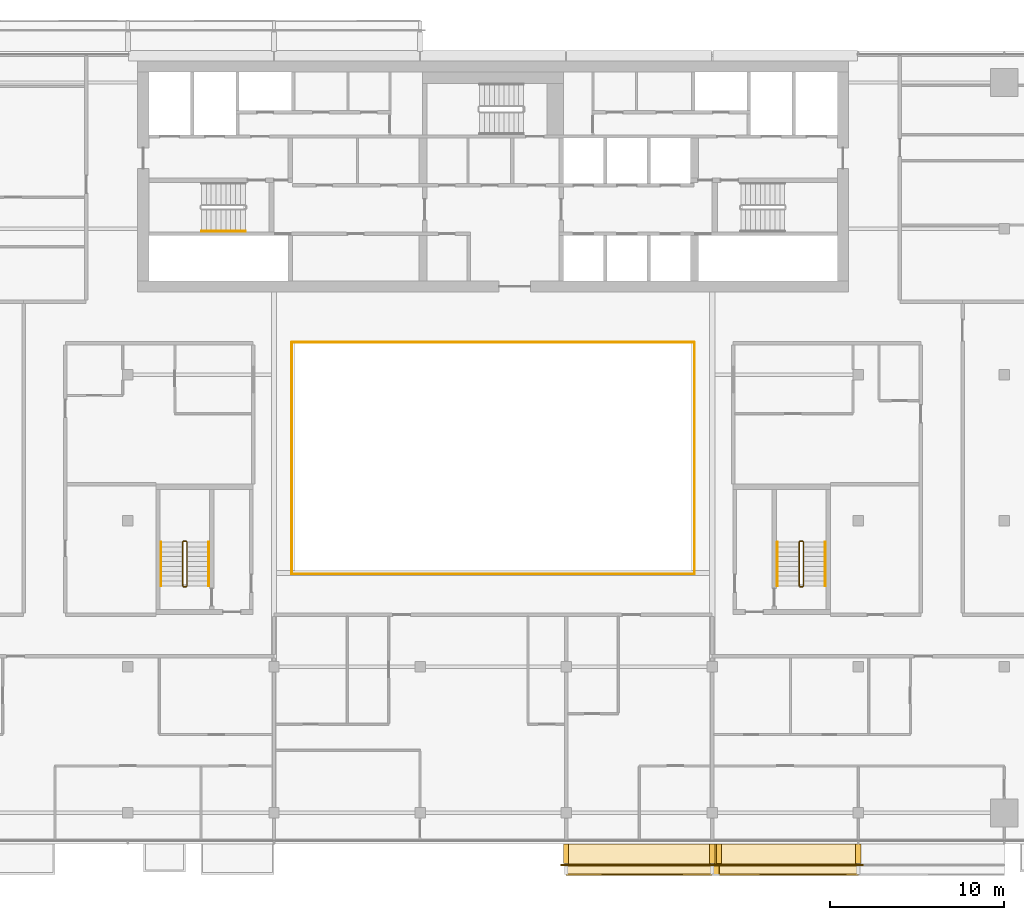
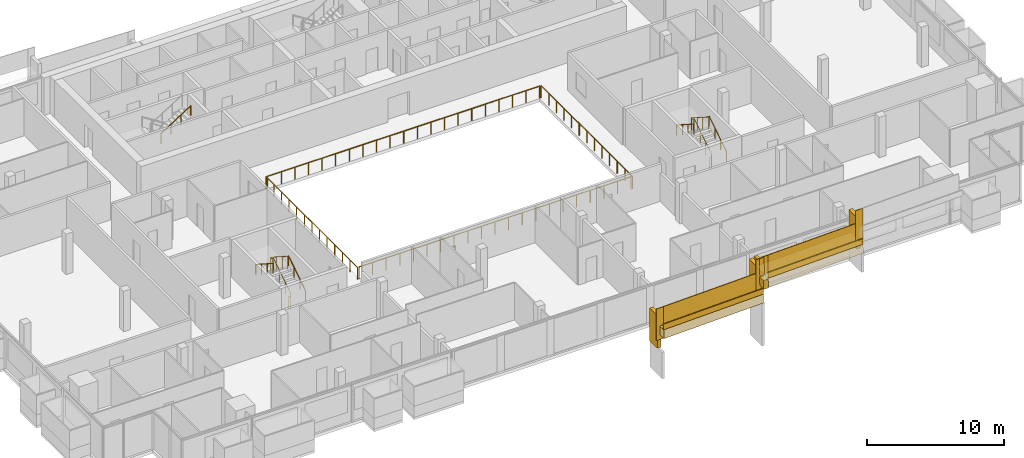
# One storey, part 25 of 27: 18 railings, 9 coverings.
"""IFC4 building model written with IfcOpenShell, lengths in metres."""

from ifc_helpers import new_model, si_unit, direction, frame, origin, origin_2d, place, context, subcontext, project, spatial, polyline, rectangle, circle, outline, extrude, material, layer, layer_set, type_object, element, save


model = new_model("IFC4")

# Units and contexts
model_context = context("Model", 3, precision=1e-05, world=origin(), true_north=direction((0.0, 1.0)))
body_context = subcontext(model_context, "Body", "Model", "MODEL_VIEW")
ifc_project = project(units=[si_unit("LENGTHUNIT", "METRE"), si_unit("AREAUNIT", "SQUARE_METRE"), si_unit("VOLUMEUNIT", "CUBIC_METRE"), si_unit("PLANEANGLEUNIT", "RADIAN"), si_unit("MASSUNIT", "GRAM", prefix="KILO")], contexts=[model_context])

# Site, building, storey
site_placement = place(None, origin())
site = spatial("IfcSite", under=ifc_project, at=site_placement, CompositionType="ELEMENT")
building_placement = place(site_placement, origin())
building = spatial("IfcBuilding", under=site, at=building_placement, Name="Saffron Gate Tower", CompositionType="ELEMENT")
storey_placement = place(building_placement, frame((0.0, 0.0, 212.699951171875)))
storey = spatial("IfcBuildingStorey", under=building, at=storey_placement, Name="L51", CompositionType="ELEMENT", Elevation=212.699951171875)

# Railings
ifc_material_1 = material(Name="Stainless steel and laminated glass", Category="steel")
railing_type_1 = type_object("IfcRailingType", Name="AG1 Atrium edge guard 1100", PredefinedType="GUARDRAIL", material=ifc_material_1)
railing_1_placement = place(storey_placement, frame((76.02001953125, 45.5400390625, 0.0)))
element("IfcRailing", 1, at=railing_1_placement, inside=storey, type_object=railing_type_1, Name="Guard D1-1", PredefinedType="GUARDRAIL", context=body_context, shape_type="SweptSolid", body=[
    extrude(circle(Radius=0.02392578125, at=origin_2d()), frame((0.0, 0.0, 1.076171875), z_axis=(0.0, 1.0, 0.0), x_axis=(-1.0, 0.0, 0.0)), (0.0, 0.0, 1.0), 13.320068359375),
    extrude(circle(Radius=0.02099609375, at=origin_2d()), origin(), (0.0, 0.0, 1.0), 1.052001953125),
    extrude(circle(Radius=0.02099609375, at=origin_2d()), frame((0.0, 1.110107421875, 0.0)), (0.0, 0.0, 1.0), 1.052001953125),
    extrude(circle(Radius=0.02099609375, at=origin_2d()), frame((0.0, 2.219970703125, 0.0)), (0.0, 0.0, 1.0), 1.052001953125),
    extrude(circle(Radius=0.02099609375, at=origin_2d()), frame((0.0, 3.330078125, 0.0)), (0.0, 0.0, 1.0), 1.052001953125),
    extrude(circle(Radius=0.02099609375, at=origin_2d()), frame((0.0, 4.43994140625, 0.0)), (0.0, 0.0, 1.0), 1.052001953125),
    extrude(circle(Radius=0.02099609375, at=origin_2d()), frame((0.0, 5.550048828125, 0.0)), (0.0, 0.0, 1.0), 1.052001953125),
    extrude(circle(Radius=0.02099609375, at=origin_2d()), frame((0.0, 6.66015625, 0.0)), (0.0, 0.0, 1.0), 1.052001953125),
    extrude(circle(Radius=0.02099609375, at=origin_2d()), frame((0.0, 7.77001953125, 0.0)), (0.0, 0.0, 1.0), 1.052001953125),
    extrude(circle(Radius=0.02099609375, at=origin_2d()), frame((0.0, 8.880126953125, 0.0)), (0.0, 0.0, 1.0), 1.052001953125),
    extrude(circle(Radius=0.02099609375, at=origin_2d()), frame((0.0, 9.989990234375, 0.0)), (0.0, 0.0, 1.0), 1.052001953125),
    extrude(circle(Radius=0.02099609375, at=origin_2d()), frame((0.0, 11.10009765625, 0.0)), (0.0, 0.0, 1.0), 1.052001953125),
    extrude(circle(Radius=0.02099609375, at=origin_2d()), frame((0.0, 12.2099609375, 0.0)), (0.0, 0.0, 1.0), 1.052001953125),
    extrude(circle(Radius=0.02099609375, at=origin_2d()), frame((0.0, 13.320068359375, 0.0)), (0.0, 0.0, 1.0), 1.052001953125),
])
railing_2_placement = place(storey_placement, frame((76.139892578125, 58.860107421875, 0.0)))
element("IfcRailing", 2, at=railing_2_placement, inside=storey, type_object=railing_type_1, Name="Guard D1-2", PredefinedType="GUARDRAIL", context=body_context, shape_type="SweptSolid", body=[
    extrude(circle(Radius=0.02392578125, at=origin_2d()), frame((0.0, 0.0, 1.076171875), z_axis=(1.0, 0.0, 0.0), x_axis=(0.0, 1.0, 0.0)), (0.0, 0.0, 1.0), 22.920166015625),
    extrude(circle(Radius=0.02099609375, at=origin_2d()), origin(), (0.0, 0.0, 1.0), 1.052001953125),
    extrude(circle(Radius=0.02099609375, at=origin_2d()), frame((1.14599609375, 0.0, 0.0)), (0.0, 0.0, 1.0), 1.052001953125),
    extrude(circle(Radius=0.02099609375, at=origin_2d()), frame((2.2919921875, 0.0, 0.0)), (0.0, 0.0, 1.0), 1.052001953125),
    extrude(circle(Radius=0.02099609375, at=origin_2d()), frame((3.43798828125, 0.0, 0.0)), (0.0, 0.0, 1.0), 1.052001953125),
    extrude(circle(Radius=0.02099609375, at=origin_2d()), frame((4.583984375, 0.0, 0.0)), (0.0, 0.0, 1.0), 1.052001953125),
    extrude(circle(Radius=0.02099609375, at=origin_2d()), frame((5.72998046875, 0.0, 0.0)), (0.0, 0.0, 1.0), 1.052001953125),
    extrude(circle(Radius=0.02099609375, at=origin_2d()), frame((6.8759765625, 0.0, 0.0)), (0.0, 0.0, 1.0), 1.052001953125),
    extrude(circle(Radius=0.02099609375, at=origin_2d()), frame((8.02197265625, 0.0, 0.0)), (0.0, 0.0, 1.0), 1.052001953125),
    extrude(circle(Radius=0.02099609375, at=origin_2d()), frame((9.16796875, 0.0, 0.0)), (0.0, 0.0, 1.0), 1.052001953125),
    extrude(circle(Radius=0.02099609375, at=origin_2d()), frame((10.31396484375, 0.0, 0.0)), (0.0, 0.0, 1.0), 1.052001953125),
    extrude(circle(Radius=0.02099609375, at=origin_2d()), frame((11.4599609375, 0.0, 0.0)), (0.0, 0.0, 1.0), 1.052001953125),
    extrude(circle(Radius=0.02099609375, at=origin_2d()), frame((12.606201171875, 0.0, 0.0)), (0.0, 0.0, 1.0), 1.052001953125),
    extrude(circle(Radius=0.02099609375, at=origin_2d()), frame((13.752197265625, 0.0, 0.0)), (0.0, 0.0, 1.0), 1.052001953125),
    extrude(circle(Radius=0.02099609375, at=origin_2d()), frame((14.898193359375, 0.0, 0.0)), (0.0, 0.0, 1.0), 1.052001953125),
    extrude(circle(Radius=0.02099609375, at=origin_2d()), frame((16.044189453125, 0.0, 0.0)), (0.0, 0.0, 1.0), 1.052001953125),
    extrude(circle(Radius=0.02099609375, at=origin_2d()), frame((17.190185546875, 0.0, 0.0)), (0.0, 0.0, 1.0), 1.052001953125),
    extrude(circle(Radius=0.02099609375, at=origin_2d()), frame((18.336181640625, 0.0, 0.0)), (0.0, 0.0, 1.0), 1.052001953125),
    extrude(circle(Radius=0.02099609375, at=origin_2d()), frame((19.482177734375, 0.0, 0.0)), (0.0, 0.0, 1.0), 1.052001953125),
    extrude(circle(Radius=0.02099609375, at=origin_2d()), frame((20.628173828125, 0.0, 0.0)), (0.0, 0.0, 1.0), 1.052001953125),
    extrude(circle(Radius=0.02099609375, at=origin_2d()), frame((21.774169921875, 0.0, 0.0)), (0.0, 0.0, 1.0), 1.052001953125),
    extrude(circle(Radius=0.02099609375, at=origin_2d()), frame((22.920166015625, 0.0, 0.0)), (0.0, 0.0, 1.0), 1.052001953125),
])
railing_3_placement = place(storey_placement, frame((99.179931640625, 58.860107421875, 0.0)))
element("IfcRailing", 3, at=railing_3_placement, inside=storey, type_object=railing_type_1, Name="Guard D1-3", PredefinedType="GUARDRAIL", context=body_context, shape_type="SweptSolid", body=[
    extrude(circle(Radius=0.02392578125, at=origin_2d()), frame((0.0, 0.0, 1.076171875), z_axis=(0.0, -1.0, 0.0), x_axis=(1.0, 0.0, 0.0)), (0.0, 0.0, 1.0), 13.320068359375),
    extrude(circle(Radius=0.02099609375, at=origin_2d()), origin(), (0.0, 0.0, 1.0), 1.052001953125),
    extrude(circle(Radius=0.02099609375, at=origin_2d()), frame((0.0, -1.110107421875, 0.0)), (0.0, 0.0, 1.0), 1.052001953125),
    extrude(circle(Radius=0.02099609375, at=origin_2d()), frame((0.0, -2.219970703125, 0.0)), (0.0, 0.0, 1.0), 1.052001953125),
    extrude(circle(Radius=0.02099609375, at=origin_2d()), frame((0.0, -3.330078125, 0.0)), (0.0, 0.0, 1.0), 1.052001953125),
    extrude(circle(Radius=0.02099609375, at=origin_2d()), frame((0.0, -4.43994140625, 0.0)), (0.0, 0.0, 1.0), 1.052001953125),
    extrude(circle(Radius=0.02099609375, at=origin_2d()), frame((0.0, -5.550048828125, 0.0)), (0.0, 0.0, 1.0), 1.052001953125),
    extrude(circle(Radius=0.02099609375, at=origin_2d()), frame((0.0, -6.66015625, 0.0)), (0.0, 0.0, 1.0), 1.052001953125),
    extrude(circle(Radius=0.02099609375, at=origin_2d()), frame((0.0, -7.77001953125, 0.0)), (0.0, 0.0, 1.0), 1.052001953125),
    extrude(circle(Radius=0.02099609375, at=origin_2d()), frame((0.0, -8.880126953125, 0.0)), (0.0, 0.0, 1.0), 1.052001953125),
    extrude(circle(Radius=0.02099609375, at=origin_2d()), frame((0.0, -9.989990234375, 0.0)), (0.0, 0.0, 1.0), 1.052001953125),
    extrude(circle(Radius=0.02099609375, at=origin_2d()), frame((0.0, -11.10009765625, 0.0)), (0.0, 0.0, 1.0), 1.052001953125),
    extrude(circle(Radius=0.02099609375, at=origin_2d()), frame((0.0, -12.2099609375, 0.0)), (0.0, 0.0, 1.0), 1.052001953125),
    extrude(circle(Radius=0.02099609375, at=origin_2d()), frame((0.0, -13.320068359375, 0.0)), (0.0, 0.0, 1.0), 1.052001953125),
])
railing_4_placement = place(storey_placement, frame((99.06005859375, 45.5400390625, 0.0)))
element("IfcRailing", 4, at=railing_4_placement, inside=storey, type_object=railing_type_1, Name="Guard D1-4", PredefinedType="GUARDRAIL", context=body_context, shape_type="SweptSolid", body=[
    extrude(circle(Radius=0.02392578125, at=origin_2d()), frame((0.0, 0.0, 1.076171875), z_axis=(-1.0, 0.0, 0.0), x_axis=(0.0, -1.0, 0.0)), (0.0, 0.0, 1.0), 22.920166015625),
    extrude(circle(Radius=0.02099609375, at=origin_2d()), origin(), (0.0, 0.0, 1.0), 1.052001953125),
    extrude(circle(Radius=0.02099609375, at=origin_2d()), frame((-1.14599609375, 0.0, 0.0)), (0.0, 0.0, 1.0), 1.052001953125),
    extrude(circle(Radius=0.02099609375, at=origin_2d()), frame((-2.2919921875, 0.0, 0.0)), (0.0, 0.0, 1.0), 1.052001953125),
    extrude(circle(Radius=0.02099609375, at=origin_2d()), frame((-3.43798828125, 0.0, 0.0)), (0.0, 0.0, 1.0), 1.052001953125),
    extrude(circle(Radius=0.02099609375, at=origin_2d()), frame((-4.583984375, 0.0, 0.0)), (0.0, 0.0, 1.0), 1.052001953125),
    extrude(circle(Radius=0.02099609375, at=origin_2d()), frame((-5.72998046875, 0.0, 0.0)), (0.0, 0.0, 1.0), 1.052001953125),
    extrude(circle(Radius=0.02099609375, at=origin_2d()), frame((-6.8759765625, 0.0, 0.0)), (0.0, 0.0, 1.0), 1.052001953125),
    extrude(circle(Radius=0.02099609375, at=origin_2d()), frame((-8.02197265625, 0.0, 0.0)), (0.0, 0.0, 1.0), 1.052001953125),
    extrude(circle(Radius=0.02099609375, at=origin_2d()), frame((-9.16796875, 0.0, 0.0)), (0.0, 0.0, 1.0), 1.052001953125),
    extrude(circle(Radius=0.02099609375, at=origin_2d()), frame((-10.31396484375, 0.0, 0.0)), (0.0, 0.0, 1.0), 1.052001953125),
    extrude(circle(Radius=0.02099609375, at=origin_2d()), frame((-11.4599609375, 0.0, 0.0)), (0.0, 0.0, 1.0), 1.052001953125),
    extrude(circle(Radius=0.02099609375, at=origin_2d()), frame((-12.606201171875, 0.0, 0.0)), (0.0, 0.0, 1.0), 1.052001953125),
    extrude(circle(Radius=0.02099609375, at=origin_2d()), frame((-13.752197265625, 0.0, 0.0)), (0.0, 0.0, 1.0), 1.052001953125),
    extrude(circle(Radius=0.02099609375, at=origin_2d()), frame((-14.898193359375, 0.0, 0.0)), (0.0, 0.0, 1.0), 1.052001953125),
    extrude(circle(Radius=0.02099609375, at=origin_2d()), frame((-16.044189453125, 0.0, 0.0)), (0.0, 0.0, 1.0), 1.052001953125),
    extrude(circle(Radius=0.02099609375, at=origin_2d()), frame((-17.190185546875, 0.0, 0.0)), (0.0, 0.0, 1.0), 1.052001953125),
    extrude(circle(Radius=0.02099609375, at=origin_2d()), frame((-18.336181640625, 0.0, 0.0)), (0.0, 0.0, 1.0), 1.052001953125),
    extrude(circle(Radius=0.02099609375, at=origin_2d()), frame((-19.482177734375, 0.0, 0.0)), (0.0, 0.0, 1.0), 1.052001953125),
    extrude(circle(Radius=0.02099609375, at=origin_2d()), frame((-20.628173828125, 0.0, 0.0)), (0.0, 0.0, 1.0), 1.052001953125),
    extrude(circle(Radius=0.02099609375, at=origin_2d()), frame((-21.774169921875, 0.0, 0.0)), (0.0, 0.0, 1.0), 1.052001953125),
    extrude(circle(Radius=0.02099609375, at=origin_2d()), frame((-22.920166015625, 0.0, 0.0)), (0.0, 0.0, 1.0), 1.052001953125),
])
railing_type_2 = type_object("IfcRailingType", Name="CR1 Stair guard 1100", PredefinedType="GUARDRAIL", material=ifc_material_1)
railing_5_placement = place(storey_placement, frame((69.800048828125, 44.800048828125, 0.0)))
element("IfcRailing", 5, at=railing_5_placement, inside=storey, type_object=railing_type_2, Name="L51 ST-D stair guard 1", PredefinedType="GUARDRAIL", context=body_context, shape_type="SweptSolid", body=[
    extrude(circle(Radius=0.02392578125, at=origin_2d()), frame((0.0, 0.0, 1.076171875), z_axis=(1.0, 0.0, 0.0), x_axis=(0.0, 1.0, 0.0)), (0.0, 0.0, 1.0), 0.14990234375),
    extrude(circle(Radius=0.02392578125, at=origin_2d()), frame((0.14990234375, 0.0, 1.076171875), z_axis=(0.258847668887, 0.258847668887, 0.930588936439), x_axis=(-0.707106781187, 0.707106781187, 0.0)), (0.0, 0.0, 1.0), 0.193359375),
    extrude(circle(Radius=0.02392578125, at=origin_2d()), frame((0.199951171875, 0.050048828125, 1.255859375), z_axis=(0.0, 0.841162588446, 0.540782303519), x_axis=(-1.0, 0.0, 0.0)), (0.0, 0.0, 1.0), 2.995849609375),
    extrude(circle(Radius=0.02392578125, at=origin_2d()), frame((0.199951171875, 2.570068359375, 2.8759765625), z_axis=(-0.708833529934, 0.705375805398, 0.0), x_axis=(-0.705375805398, -0.708833529934, 0.0)), (0.0, 0.0, 1.0), 0.070556640625),
    extrude(circle(Radius=0.02392578125, at=origin_2d()), frame((0.14990234375, 2.619873046875, 2.8759765625), z_axis=(-1.0, 0.0, 0.0), x_axis=(0.0, -1.0, 0.0)), (0.0, 0.0, 1.0), 0.14990234375),
    extrude(circle(Radius=0.02392578125, at=origin_2d()), frame((0.0, 2.619873046875, 2.8759765625), z_axis=(-0.258932105505, -0.257669022063, 0.930892496375), x_axis=(0.705375805398, -0.708833529934, 0.0)), (0.0, 0.0, 1.0), 0.193359375),
    extrude(circle(Radius=0.02392578125, at=origin_2d()), frame((-0.050048828125, 2.570068359375, 3.05615234375), z_axis=(0.0, -0.841162588446, 0.540782303519), x_axis=(1.0, 0.0, 0.0)), (0.0, 0.0, 1.0), 2.995849609375),
    extrude(circle(Radius=0.02099609375, at=origin_2d()), origin(), (0.0, 0.0, 1.0), 1.052001953125),
    extrude(circle(Radius=0.02099609375, at=origin_2d()), frame((0.14990234375, 0.0, 0.0)), (0.0, 0.0, 1.0), 1.052001953125),
    extrude(circle(Radius=0.02099609375, at=origin_2d()), frame((0.199951171875, 0.050048828125, 0.179931640625)), (0.0, 0.0, 1.0), 1.052001953125),
    extrude(circle(Radius=0.02099609375, at=origin_2d()), frame((0.199951171875, 0.89013671875, 0.719970703125)), (0.0, 0.0, 1.0), 1.052001953125),
    extrude(circle(Radius=0.02099609375, at=origin_2d()), frame((0.199951171875, 1.72998046875, 1.260009765625)), (0.0, 0.0, 1.0), 1.052001953125),
    extrude(circle(Radius=0.02099609375, at=origin_2d()), frame((0.199951171875, 2.570068359375, 1.800048828125)), (0.0, 0.0, 1.0), 1.052001953125),
    extrude(circle(Radius=0.02099609375, at=origin_2d()), frame((0.14990234375, 2.619873046875, 1.800048828125)), (0.0, 0.0, 1.0), 1.052001953125),
    extrude(circle(Radius=0.02099609375, at=origin_2d()), frame((0.0, 2.619873046875, 1.800048828125)), (0.0, 0.0, 1.0), 1.052001953125),
    extrude(circle(Radius=0.02099609375, at=origin_2d()), frame((-0.050048828125, 2.570068359375, 1.97998046875)), (0.0, 0.0, 1.0), 1.052001953125),
    extrude(circle(Radius=0.02099609375, at=origin_2d()), frame((-0.050048828125, 1.72998046875, 2.52001953125)), (0.0, 0.0, 1.0), 1.052001953125),
    extrude(circle(Radius=0.02099609375, at=origin_2d()), frame((-0.050048828125, 0.89013671875, 3.06005859375)), (0.0, 0.0, 1.0), 1.052001953125),
    extrude(circle(Radius=0.02099609375, at=origin_2d()), frame((-0.050048828125, 0.050048828125, 3.60009765625)), (0.0, 0.0, 1.0), 1.052001953125),
])
railing_6_placement = place(storey_placement, frame((105.25, 44.800048828125, 0.0)))
element("IfcRailing", 6, at=railing_6_placement, inside=storey, type_object=railing_type_2, Name="L51 ST-E stair guard 1", PredefinedType="GUARDRAIL", context=body_context, shape_type="SweptSolid", body=[
    extrude(circle(Radius=0.02392578125, at=origin_2d()), frame((0.0, 0.0, 1.076171875), z_axis=(1.0, 0.0, 0.0), x_axis=(0.0, 1.0, 0.0)), (0.0, 0.0, 1.0), 0.14990234375),
    extrude(circle(Radius=0.02392578125, at=origin_2d()), frame((0.14990234375, 0.0, 1.076171875), z_axis=(0.258847668887, 0.258847668887, 0.930588936439), x_axis=(-0.707106781187, 0.707106781187, 0.0)), (0.0, 0.0, 1.0), 0.193359375),
    extrude(circle(Radius=0.02392578125, at=origin_2d()), frame((0.199951171875, 0.050048828125, 1.255859375), z_axis=(0.0, 0.841162588446, 0.540782303519), x_axis=(-1.0, 0.0, 0.0)), (0.0, 0.0, 1.0), 2.995849609375),
    extrude(circle(Radius=0.02392578125, at=origin_2d()), frame((0.199951171875, 2.570068359375, 2.8759765625), z_axis=(-0.708833529934, 0.705375805398, 0.0), x_axis=(-0.705375805398, -0.708833529934, 0.0)), (0.0, 0.0, 1.0), 0.070556640625),
    extrude(circle(Radius=0.02392578125, at=origin_2d()), frame((0.14990234375, 2.619873046875, 2.8759765625), z_axis=(-1.0, 0.0, 0.0), x_axis=(0.0, -1.0, 0.0)), (0.0, 0.0, 1.0), 0.14990234375),
    extrude(circle(Radius=0.02392578125, at=origin_2d()), frame((0.0, 2.619873046875, 2.8759765625), z_axis=(-0.258932105505, -0.257669022063, 0.930892496375), x_axis=(0.705375805398, -0.708833529934, 0.0)), (0.0, 0.0, 1.0), 0.193359375),
    extrude(circle(Radius=0.02392578125, at=origin_2d()), frame((-0.050048828125, 2.570068359375, 3.05615234375), z_axis=(0.0, -0.841162588446, 0.540782303519), x_axis=(1.0, 0.0, 0.0)), (0.0, 0.0, 1.0), 2.995849609375),
    extrude(circle(Radius=0.02099609375, at=origin_2d()), origin(), (0.0, 0.0, 1.0), 1.052001953125),
    extrude(circle(Radius=0.02099609375, at=origin_2d()), frame((0.14990234375, 0.0, 0.0)), (0.0, 0.0, 1.0), 1.052001953125),
    extrude(circle(Radius=0.02099609375, at=origin_2d()), frame((0.199951171875, 0.050048828125, 0.179931640625)), (0.0, 0.0, 1.0), 1.052001953125),
    extrude(circle(Radius=0.02099609375, at=origin_2d()), frame((0.199951171875, 0.89013671875, 0.719970703125)), (0.0, 0.0, 1.0), 1.052001953125),
    extrude(circle(Radius=0.02099609375, at=origin_2d()), frame((0.199951171875, 1.72998046875, 1.260009765625)), (0.0, 0.0, 1.0), 1.052001953125),
    extrude(circle(Radius=0.02099609375, at=origin_2d()), frame((0.199951171875, 2.570068359375, 1.800048828125)), (0.0, 0.0, 1.0), 1.052001953125),
    extrude(circle(Radius=0.02099609375, at=origin_2d()), frame((0.14990234375, 2.619873046875, 1.800048828125)), (0.0, 0.0, 1.0), 1.052001953125),
    extrude(circle(Radius=0.02099609375, at=origin_2d()), frame((0.0, 2.619873046875, 1.800048828125)), (0.0, 0.0, 1.0), 1.052001953125),
    extrude(circle(Radius=0.02099609375, at=origin_2d()), frame((-0.050048828125, 2.570068359375, 1.97998046875)), (0.0, 0.0, 1.0), 1.052001953125),
    extrude(circle(Radius=0.02099609375, at=origin_2d()), frame((-0.050048828125, 1.72998046875, 2.52001953125)), (0.0, 0.0, 1.0), 1.052001953125),
    extrude(circle(Radius=0.02099609375, at=origin_2d()), frame((-0.050048828125, 0.89013671875, 3.06005859375)), (0.0, 0.0, 1.0), 1.052001953125),
    extrude(circle(Radius=0.02099609375, at=origin_2d()), frame((-0.050048828125, 0.050048828125, 3.60009765625)), (0.0, 0.0, 1.0), 1.052001953125),
])
ifc_material_2 = material(Name="Stainless steel", Category="steel")
railing_type_3 = type_object("IfcRailingType", Name="CR2 Stair handrail 900", PredefinedType="HANDRAIL", material=ifc_material_2)
railing_7_placement = place(storey_placement, frame((70.830078125, 65.25, 1.97998046875)))
element("IfcRailing", 7, at=railing_7_placement, inside=storey, type_object=railing_type_3, Name="L51 ST-A stair handrail 2", PredefinedType="HANDRAIL", context=body_context, shape_type="SweptSolid", body=[
    extrude(circle(Radius=0.02392578125, at=origin_2d()), frame((0.0, 0.0, 0.8759765625), z_axis=(0.841162588446, 0.0, 0.540782303519), x_axis=(0.0, 1.0, 0.0)), (0.0, 0.0, 1.0), 2.995849609375),
    extrude(circle(Radius=0.02099609375, at=origin_2d()), origin(), (0.0, 0.0, 1.0), 0.851806640625),
    extrude(circle(Radius=0.02099609375, at=origin_2d()), frame((0.840087890625, 0.0, 0.5400390625)), (0.0, 0.0, 1.0), 0.851806640625),
    extrude(circle(Radius=0.02099609375, at=origin_2d()), frame((1.679931640625, 0.0, 1.080078125)), (0.0, 0.0, 1.0), 0.851806640625),
    extrude(circle(Radius=0.02099609375, at=origin_2d()), frame((2.52001953125, 0.0, 1.6201171875)), (0.0, 0.0, 1.0), 0.851806640625),
])
railing_8_placement = place(storey_placement, frame((71.25, 44.85009765625, 0.179931640625)))
element("IfcRailing", 8, at=railing_8_placement, inside=storey, type_object=railing_type_3, Name="L51 ST-D stair handrail 1", PredefinedType="HANDRAIL", context=body_context, shape_type="SweptSolid", body=[
    extrude(circle(Radius=0.02392578125, at=origin_2d()), frame((0.0, 0.0, 0.8759765625), z_axis=(0.0, 0.841162588446, 0.540782303519), x_axis=(-1.0, 0.0, 0.0)), (0.0, 0.0, 1.0), 2.995849609375),
    extrude(circle(Radius=0.02099609375, at=origin_2d()), origin(), (0.0, 0.0, 1.0), 0.851806640625),
    extrude(circle(Radius=0.02099609375, at=origin_2d()), frame((0.0, 0.840087890625, 0.5400390625)), (0.0, 0.0, 1.0), 0.851806640625),
    extrude(circle(Radius=0.02099609375, at=origin_2d()), frame((0.0, 1.679931640625, 1.080078125)), (0.0, 0.0, 1.0), 0.851806640625),
    extrude(circle(Radius=0.02099609375, at=origin_2d()), frame((0.0, 2.52001953125, 1.6201171875)), (0.0, 0.0, 1.0), 0.851806640625),
])
railing_9_placement = place(storey_placement, frame((68.5, 47.3701171875, 1.97998046875)))
element("IfcRailing", 9, at=railing_9_placement, inside=storey, type_object=railing_type_3, Name="L51 ST-D stair handrail 2", PredefinedType="HANDRAIL", context=body_context, shape_type="SweptSolid", body=[
    extrude(circle(Radius=0.02392578125, at=origin_2d()), frame((0.0, 0.0, 0.8759765625), z_axis=(0.0, -0.841162588446, 0.540782303519), x_axis=(1.0, 0.0, 0.0)), (0.0, 0.0, 1.0), 2.995849609375),
    extrude(circle(Radius=0.02099609375, at=origin_2d()), origin(), (0.0, 0.0, 1.0), 0.851806640625),
    extrude(circle(Radius=0.02099609375, at=origin_2d()), frame((0.0, -0.840087890625, 0.5400390625)), (0.0, 0.0, 1.0), 0.851806640625),
    extrude(circle(Radius=0.02099609375, at=origin_2d()), frame((0.0, -1.679931640625, 1.080078125)), (0.0, 0.0, 1.0), 0.851806640625),
    extrude(circle(Radius=0.02099609375, at=origin_2d()), frame((0.0, -2.52001953125, 1.6201171875)), (0.0, 0.0, 1.0), 0.851806640625),
])
railing_10_placement = place(storey_placement, frame((106.699951171875, 44.85009765625, 0.179931640625)))
element("IfcRailing", 10, at=railing_10_placement, inside=storey, type_object=railing_type_3, Name="L51 ST-E stair handrail 1", PredefinedType="HANDRAIL", context=body_context, shape_type="SweptSolid", body=[
    extrude(circle(Radius=0.02392578125, at=origin_2d()), frame((0.0, 0.0, 0.8759765625), z_axis=(0.0, 0.841162588446, 0.540782303519), x_axis=(-1.0, 0.0, 0.0)), (0.0, 0.0, 1.0), 2.995849609375),
    extrude(circle(Radius=0.02099609375, at=origin_2d()), origin(), (0.0, 0.0, 1.0), 0.851806640625),
    extrude(circle(Radius=0.02099609375, at=origin_2d()), frame((0.0, 0.840087890625, 0.5400390625)), (0.0, 0.0, 1.0), 0.851806640625),
    extrude(circle(Radius=0.02099609375, at=origin_2d()), frame((0.0, 1.679931640625, 1.080078125)), (0.0, 0.0, 1.0), 0.851806640625),
    extrude(circle(Radius=0.02099609375, at=origin_2d()), frame((0.0, 2.52001953125, 1.6201171875)), (0.0, 0.0, 1.0), 0.851806640625),
])
railing_11_placement = place(storey_placement, frame((103.949951171875, 47.3701171875, 1.97998046875)))
element("IfcRailing", 11, at=railing_11_placement, inside=storey, type_object=railing_type_3, Name="L51 ST-E stair handrail 2", PredefinedType="HANDRAIL", context=body_context, shape_type="SweptSolid", body=[
    extrude(circle(Radius=0.02392578125, at=origin_2d()), frame((0.0, 0.0, 0.8759765625), z_axis=(0.0, -0.841162588446, 0.540782303519), x_axis=(1.0, 0.0, 0.0)), (0.0, 0.0, 1.0), 2.995849609375),
    extrude(circle(Radius=0.02099609375, at=origin_2d()), origin(), (0.0, 0.0, 1.0), 0.851806640625),
    extrude(circle(Radius=0.02099609375, at=origin_2d()), frame((0.0, -0.840087890625, 0.5400390625)), (0.0, 0.0, 1.0), 0.851806640625),
    extrude(circle(Radius=0.02099609375, at=origin_2d()), frame((0.0, -1.679931640625, 1.080078125)), (0.0, 0.0, 1.0), 0.851806640625),
    extrude(circle(Radius=0.02099609375, at=origin_2d()), frame((0.0, -2.52001953125, 1.6201171875)), (0.0, 0.0, 1.0), 0.851806640625),
])

# Coverings
ifc_material_3 = material(Name="Timber, thermally modified ash", Category="wood")
ifc_layer_1 = layer(ifc_material_3, 0.800048828125)
ifc_layer_set_1 = layer_set([ifc_layer_1], Name="LD1 ledge timber")
covering_type_1 = type_object("IfcCoveringType", Name="LD1 ledge timber", PredefinedType="CLADDING", material=ifc_layer_set_1)
covering_1_placement = place(storey_placement, frame((91.800048828125, 30.0, 0.499755859375), z_axis=(-0.028791175352, 0.0, 0.999585448184), x_axis=(0.999585448184, 0.0, 0.028791175352)))
element("IfcCovering", 12, at=covering_1_placement, inside=storey, type_object=covering_type_1, Name="LEDGE", PredefinedType="CLADDING", context=body_context, shape_type="SweptSolid", body=[
    extrude(outline(polyline([(0.0, 0.0), (8.403385982666892, 0.0), (8.403385982666892, -1.800048828125), (0.0, -1.800048828125), (0.0, 0.0)])), origin(), (0.0, 0.0, -1.0), 0.800048828125),
])
covering_2_placement = place(storey_placement, frame((100.199951171875, 30.0, 1.94189453125), z_axis=(-0.029273599113, 0.0, 0.999571436364), x_axis=(0.999571436364, 0.0, 0.029273599113)))
element("IfcCovering", 13, at=covering_2_placement, inside=storey, type_object=covering_type_1, Name="LEDGE", PredefinedType="CLADDING", context=body_context, shape_type="SweptSolid", body=[
    extrude(outline(polyline([(0.0, 0.0), (0.40031804613236543, 0.0), (0.40031804613236543, -1.800048828125), (0.0, -1.800048828125), (0.0, 0.0)])), origin(), (0.0, 0.0, -1.0), 0.800048828125),
])
covering_3_placement = place(storey_placement, frame((100.60009765625, 30.0, 2.0107421875), z_axis=(-0.028796646555, 0.0, 0.999585290582), x_axis=(0.999585290582, 0.0, 0.028796646555)))
element("IfcCovering", 14, at=covering_3_placement, inside=storey, type_object=covering_type_1, Name="LEDGE", PredefinedType="CLADDING", context=body_context, shape_type="SweptSolid", body=[
    extrude(outline(polyline([(0.0, 0.0), (8.003319051788862, 0.0), (8.003319051788862, -1.800048828125), (0.0, -1.800048828125), (0.0, 0.0)])), origin(), (0.0, 0.0, -1.0), 0.800048828125),
])
ifc_layer_2 = layer(ifc_material_3, 0.080078125)
ifc_layer_set_2 = layer_set([ifc_layer_2], Name="LD2 ledge planter trough")
covering_type_2 = type_object("IfcCoveringType", Name="LD2 ledge planter trough", PredefinedType="CLADDING", material=ifc_layer_set_2)
covering_4_placement = place(storey_placement, frame((91.800048828125, 28.199951171875, 0.499755859375), z_axis=(0.0, -1.0, 0.0), x_axis=(0.999585448184, 0.0, 0.028791175352)))
element("IfcCovering", 15, at=covering_4_placement, inside=storey, type_object=covering_type_2, Name="LEDGE planter trough", PredefinedType="CLADDING", context=body_context, shape_type="SweptSolid", body=[
    extrude(outline(polyline([(0.0, 0.0), (8.403385982666892, 0.0), (8.417781570342743, 0.49979272409216496), (0.014395587675851172, 0.4997927240921649), (0.0, 0.0)])), origin(), (0.0, 0.0, -1.0), 0.080078125),
])
covering_5_placement = place(storey_placement, frame((100.60009765625, 28.199951171875, 2.0107421875), z_axis=(0.0, -1.0, 0.0), x_axis=(0.999585290582, 0.0, 0.028796646555)))
element("IfcCovering", 16, at=covering_5_placement, inside=storey, type_object=covering_type_2, Name="LEDGE planter trough", PredefinedType="CLADDING", context=body_context, shape_type="SweptSolid", body=[
    extrude(outline(polyline([(0.0, 0.0), (8.003319051788862, 0.0), (8.017717375066283, 0.4997926452908234), (0.014398323277421184, 0.49979264529082346), (0.0, 0.0)])), origin(), (0.0, 0.0, -1.0), 0.080078125),
])
ifc_layer_3 = layer(ifc_material_3, 0.300048828125)
ifc_layer_set_3 = layer_set([ifc_layer_3], Name="LD3 ledge riser fin")
covering_type_3 = type_object("IfcCoveringType", Name="LD3 ledge riser fin", PredefinedType="CLADDING", material=ifc_layer_set_3)
for number, where, z_axis, x_axis, name in (
    (17, (91.800048828125, 29.43994140625, -1.500732421875), (0.0, 0.0, 1.0), (1.0, 0.0, 0.0), "LEDGE riser fin"),
    (18, (100.199951171875, 29.43994140625, -0.058349609375), (0.0, 0.0, 1.0), (1.0, 0.0, 0.0), "LEDGE riser fin"),
):
    element("IfcCovering", number, at=place(storey_placement, frame(where, z_axis=z_axis, x_axis=x_axis)), inside=storey, type_object=covering_type_3, Name=name, PredefinedType="CLADDING", context=body_context, shape_type="SweptSolid", body=[
        extrude(rectangle(XDim=0.300048828125, YDim=1.1201171875, at=origin_2d()), origin(), (0.0, 0.0, 1.0), 2.900390625),
    ])
covering_6_placement = place(storey_placement, frame((100.60009765625, 29.43994140625, 1.1533203125), z_axis=(0.0, 0.0, 1.0), x_axis=(1.0, 0.0, 0.0)))
element("IfcCovering", 19, at=covering_6_placement, inside=storey, type_object=covering_type_3, Name="LEDGE riser fin", PredefinedType="CLADDING", context=body_context, shape_type="SweptSolid", body=[
    extrude(rectangle(XDim=0.300048828125, YDim=1.1201171875, at=origin_2d()), origin(), (0.0, 0.0, 1.0), 1.757080078125),
])
covering_7_placement = place(storey_placement, frame((108.60009765625, 29.43994140625, 1.441162109375), z_axis=(0.0, 0.0, 1.0), x_axis=(1.0, 0.0, 0.0)))
element("IfcCovering", 20, at=covering_7_placement, inside=storey, type_object=covering_type_3, Name="LEDGE riser fin", PredefinedType="CLADDING", context=body_context, shape_type="SweptSolid", body=[
    extrude(rectangle(XDim=0.300048828125, YDim=1.1201171875, at=origin_2d()), origin(), (0.0, 0.0, 1.0), 2.84326171875),
])

# Railings
railing_type_4 = type_object("IfcRailingType", Name="LG1 ledge balustrade", PredefinedType="BALUSTRADE", material=ifc_material_3)
railing_12_placement = place(storey_placement, frame((91.800048828125, 28.800048828125, 0.499755859375)))
element("IfcRailing", 21, at=railing_12_placement, inside=storey, type_object=railing_type_4, Name="LEDGE BALUSTRADE", PredefinedType="BALUSTRADE", context=body_context, shape_type="SweptSolid", body=[
    extrude(rectangle(XDim=0.06005859375, YDim=1.60009765625, at=origin_2d()), frame((0.0, 0.0, 0.800048828125), z_axis=(0.999585448184, 0.0, 0.028791175352), x_axis=(0.0, 1.0, 0.0)), (0.0, 0.0, 1.0), 8.4033203125),
])
railing_13_placement = place(storey_placement, frame((91.5, 28.800048828125, -0.70068359375)))
element("IfcRailing", 22, at=railing_13_placement, inside=storey, type_object=railing_type_4, Name="LEDGE BALUSTRADE", PredefinedType="BALUSTRADE", context=body_context, shape_type="SweptSolid", body=[
    extrude(rectangle(XDim=0.06005859375, YDim=2.80029296875, at=origin_2d()), frame((0.0, 0.0, 1.400146484375), z_axis=(1.0, 0.0, 0.0), x_axis=(0.0, 1.0, 0.0)), (0.0, 0.0, 1.0), 0.60009765625),
])
railing_14_placement = place(storey_placement, frame((100.199951171875, 28.800048828125, 1.94189453125)))
element("IfcRailing", 23, at=railing_14_placement, inside=storey, type_object=railing_type_4, Name="LEDGE BALUSTRADE", PredefinedType="BALUSTRADE", context=body_context, shape_type="SweptSolid", body=[
    extrude(rectangle(XDim=0.06005859375, YDim=1.60009765625, at=origin_2d()), frame((0.0, 0.0, 0.800048828125), z_axis=(0.999571436364, 0.0, 0.029273599113), x_axis=(0.0, 1.0, 0.0)), (0.0, 0.0, 1.0), 0.400390625),
])
railing_15_placement = place(storey_placement, frame((99.89990234375, 28.800048828125, 0.74169921875)))
element("IfcRailing", 24, at=railing_15_placement, inside=storey, type_object=railing_type_4, Name="LEDGE BALUSTRADE", PredefinedType="BALUSTRADE", context=body_context, shape_type="SweptSolid", body=[
    extrude(rectangle(XDim=0.06005859375, YDim=2.80029296875, at=origin_2d()), frame((0.0, 0.0, 1.400146484375), z_axis=(1.0, 0.0, 0.0), x_axis=(0.0, 1.0, 0.0)), (0.0, 0.0, 1.0), 0.60009765625),
])
railing_16_placement = place(storey_placement, frame((100.60009765625, 28.800048828125, 2.0107421875)))
element("IfcRailing", 25, at=railing_16_placement, inside=storey, type_object=railing_type_4, Name="LEDGE BALUSTRADE", PredefinedType="BALUSTRADE", context=body_context, shape_type="SweptSolid", body=[
    extrude(rectangle(XDim=0.06005859375, YDim=1.60009765625, at=origin_2d()), frame((0.0, 0.0, 0.800048828125), z_axis=(0.999585290582, 0.0, 0.028796646555), x_axis=(0.0, 1.0, 0.0)), (0.0, 0.0, 1.0), 8.00341796875),
])
railing_17_placement = place(storey_placement, frame((100.300048828125, 28.800048828125, 1.95361328125)))
element("IfcRailing", 26, at=railing_17_placement, inside=storey, type_object=railing_type_4, Name="LEDGE BALUSTRADE", PredefinedType="BALUSTRADE", context=body_context, shape_type="SweptSolid", body=[
    extrude(rectangle(XDim=0.06005859375, YDim=1.6572265625, at=origin_2d()), frame((0.0, 0.0, 0.82861328125), z_axis=(1.0, 0.0, 0.0), x_axis=(0.0, 1.0, 0.0)), (0.0, 0.0, 1.0), 0.599853515625),
])
railing_18_placement = place(storey_placement, frame((108.300048828125, 28.800048828125, 2.2412109375)))
element("IfcRailing", 27, at=railing_18_placement, inside=storey, type_object=railing_type_4, Name="LEDGE BALUSTRADE", PredefinedType="BALUSTRADE", context=body_context, shape_type="SweptSolid", body=[
    extrude(rectangle(XDim=0.06005859375, YDim=2.7431640625, at=origin_2d()), frame((0.0, 0.0, 1.37158203125), z_axis=(1.0, 0.0, 0.0), x_axis=(0.0, 1.0, 0.0)), (0.0, 0.0, 1.0), 0.599853515625),
])

save(model, "model.ifc")
